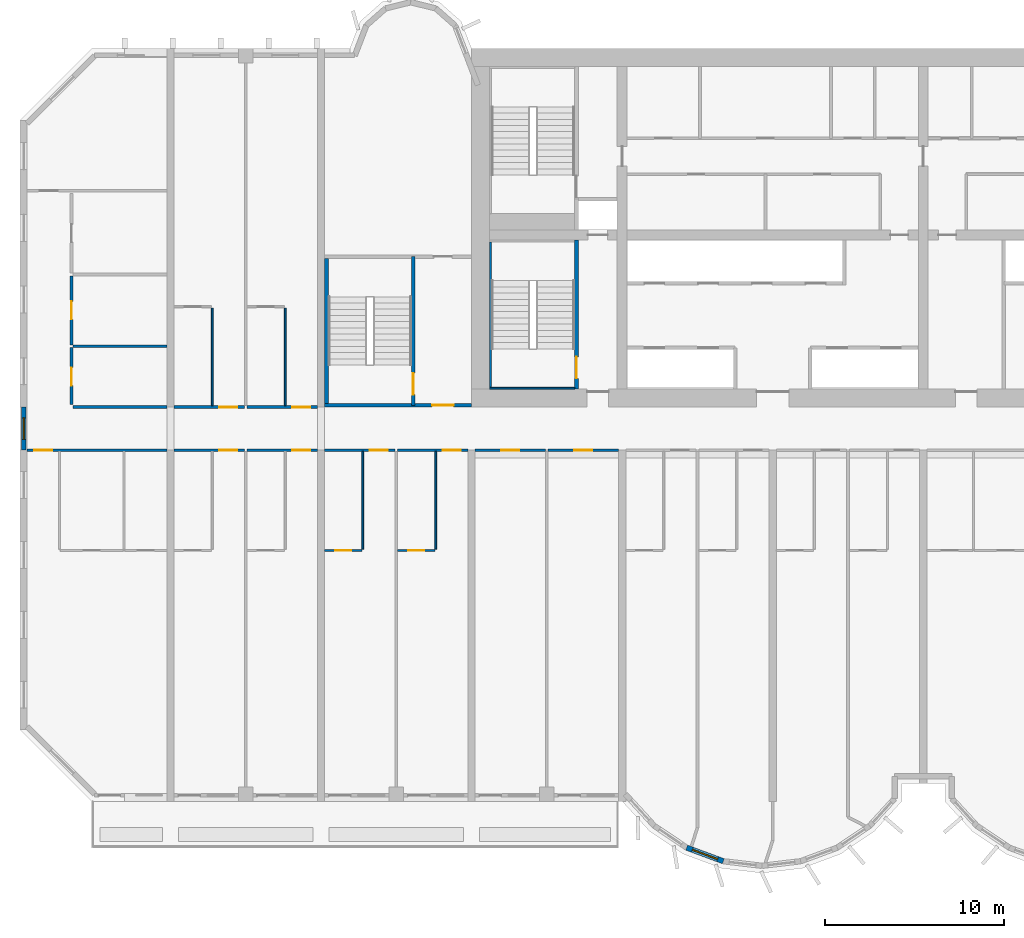
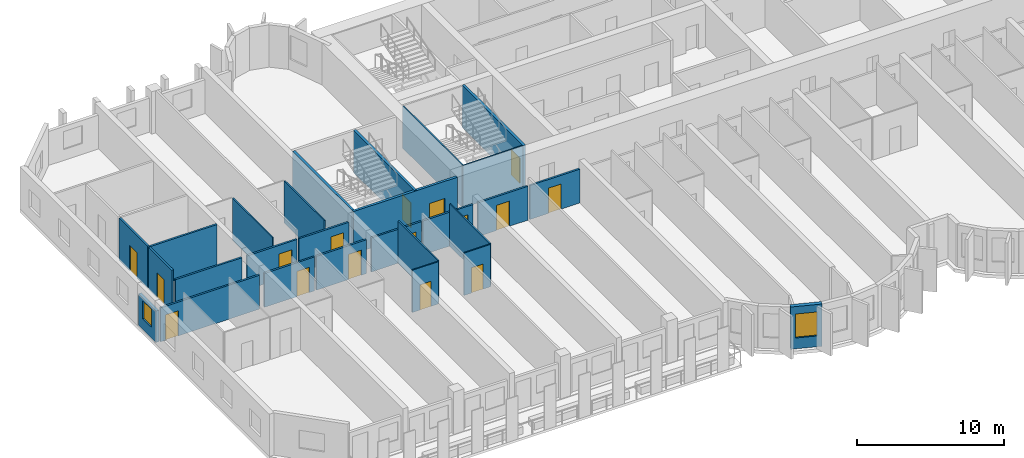
# One storey, part 3 of 14: 27 walls, 16 doors, 2 windows, 18 openings.
"""IFC4 building model written with IfcOpenShell, lengths in metres."""

from ifc_helpers import new_model, si_unit, direction, frame, frame_2d, origin, place, context, subcontext, project, spatial, rectangle, extrude, source, transform, mapped, material, layer, layer_set, type_object, element, fill, save


model = new_model("IFC4")

# Units and contexts
model_context = context("Model", 3, precision=1e-05, world=origin(), true_north=direction((0.0, 1.0)))
body_context = subcontext(model_context, "Body", "Model", "MODEL_VIEW")
ifc_project = project(units=[si_unit("LENGTHUNIT", "METRE"), si_unit("AREAUNIT", "SQUARE_METRE"), si_unit("VOLUMEUNIT", "CUBIC_METRE"), si_unit("PLANEANGLEUNIT", "RADIAN"), si_unit("MASSUNIT", "GRAM", prefix="KILO")], contexts=[model_context])

# Site, building, storey
site_placement = place(None, origin())
site = spatial("IfcSite", under=ifc_project, at=site_placement, CompositionType="ELEMENT")
building_placement = place(site_placement, origin())
building = spatial("IfcBuilding", under=site, at=building_placement, Name="Vanashikhar Sky Hotel", CompositionType="ELEMENT")
storey_placement = place(building_placement, frame((0.0, 0.0, 73.39990234375)))
storey = spatial("IfcBuildingStorey", under=building, at=storey_placement, Name="L17", CompositionType="ELEMENT", Elevation=73.39990234375)

# Wall, opening, window
ifc_material_1 = material(Name="Concrete M50", Category="concrete")
ifc_layer_1 = layer(ifc_material_1, 0.300048828125)
ifc_layer_set_1 = layer_set([ifc_layer_1], Name="Lobe wall 300")
wall_type_1 = type_object("IfcWallType", Name="Lobe wall 300", PredefinedType="SOLIDWALL", material=ifc_layer_set_1)
shared_shape_1 = source(origin(), body_context, "Body", "SweptSolid", [
    extrude(rectangle(XDim=2.17578125, YDim=0.300048828125, at=frame_2d((1.087890625, 0.0))), origin(), (0.0, 0.0, 1.0), 3.52001953125),
])
wall_1_placement = place(storey_placement, frame((37.20068359375, -2.58349609375, 0.0), z_axis=(0.0, 0.0, 1.0), x_axis=(0.93754555999, -0.347862505801, 0.0)))
wall_1 = element("IfcWall", 1, at=wall_1_placement, inside=storey, type_object=wall_type_1, Name="Lobe wall", PredefinedType="SOLIDWALL", context=body_context, shape_type="MappedRepresentation", body=[
    mapped(shared_shape_1, transform((0.0, 0.0, 0.0), scale=1.0)),
])
shared_shape_2 = source(origin(), body_context, "Body", "SweptSolid", [
    extrude(rectangle(XDim=1.5, YDim=2.0, at=frame_2d((0.75, 1.0))), frame((0.0, 0.16015625, 0.0), z_axis=(0.0, -1.0, 0.0), x_axis=(1.0, 0.0, 0.0)), (0.0, 0.0, 1.0), 0.320068359375),
])
opening_1_placement = place(wall_1_placement, frame((0.337890625, 0.0, 0.89990234375)))
opening_1 = element("IfcOpeningElement", 2, at=opening_1_placement, cuts=wall_1, Name="Opening WN-2", PredefinedType="OPENING", context=body_context, shape_type="MappedRepresentation", body=[
    mapped(shared_shape_2, transform((0.0, 0.0, 0.0), scale=1.0)),
])
ifc_material_2 = material(Name="Glass", Category="glass")
window_type_1 = type_object("IfcWindowType", Name="Lobe window 1500 x 2000", PartitioningType="SINGLE_PANEL", PredefinedType="WINDOW", material=ifc_material_2)
shared_shape_3 = source(origin(), body_context, "Body", "SweptSolid", [
    extrude(rectangle(XDim=1.5, YDim=2.0, at=frame_2d((0.75, 1.0))), frame((0.0, 0.030029296875, 0.0), z_axis=(0.0, -1.0, 0.0), x_axis=(1.0, 0.0, 0.0)), (0.0, 0.0, 1.0), 0.06005859375),
])
window_1_placement = place(opening_1_placement, origin())
window_1 = element("IfcWindow", 3, at=window_1_placement, inside=storey, type_object=window_type_1, Name="Window WN-2", OverallHeight=2.0, OverallWidth=1.5, PartitioningType="SINGLE_PANEL", PredefinedType="WINDOW", context=body_context, shape_type="MappedRepresentation", body=[
    mapped(shared_shape_3, transform((0.0, 0.0, 0.0), scale=1.0)),
])
fill(opening_1, window_1)

ifc_layer_2 = layer(ifc_material_1, 0.25)
ifc_layer_set_2 = layer_set([ifc_layer_2], Name="Rear and end board-marked wall 250")
wall_type_2 = type_object("IfcWallType", Name="Rear and end board-marked wall 250", PredefinedType="SOLIDWALL", material=ifc_layer_set_2)
shared_shape_4 = source(origin(), body_context, "Body", "SweptSolid", [
    extrude(rectangle(XDim=2.39990234375, YDim=0.25, at=frame_2d((1.199951171875, 0.0))), origin(), (0.0, 0.0, 1.0), 2.6201171875),
])
wall_2_placement = place(storey_placement, frame((0.199951171875, 19.60009765625, 0.0), z_axis=(0.0, 0.0, 1.0), x_axis=(0.0, 1.0, 0.0)))
wall_2 = element("IfcWall", 4, at=wall_2_placement, inside=storey, type_object=wall_type_2, Name="End corridor infill wall", PredefinedType="SOLIDWALL", context=body_context, shape_type="MappedRepresentation", body=[
    mapped(shared_shape_4, transform((0.0, 0.0, 0.0), scale=1.0)),
])
shared_shape_5 = source(origin(), body_context, "Body", "SweptSolid", [
    extrude(rectangle(XDim=1.199951171875, YDim=1.5, at=frame_2d((0.60009765625, 0.75))), frame((0.0, 0.135009765625, 0.0), z_axis=(0.0, -1.0, 0.0), x_axis=(1.0, 0.0, 0.0)), (0.0, 0.0, 1.0), 0.27001953125),
])
opening_2_placement = place(wall_2_placement, frame((0.60009765625, 0.0, 0.89990234375)))
opening_2 = element("IfcOpeningElement", 5, at=opening_2_placement, cuts=wall_2, Name="Opening WN-3", PredefinedType="OPENING", context=body_context, shape_type="MappedRepresentation", body=[
    mapped(shared_shape_5, transform((0.0, 0.0, 0.0), scale=1.0)),
])
window_type_2 = type_object("IfcWindowType", Name="Corridor end window 1200 x 1500", PartitioningType="SINGLE_PANEL", PredefinedType="WINDOW", material=ifc_material_2)
shared_shape_6 = source(origin(), body_context, "Body", "SweptSolid", [
    extrude(rectangle(XDim=1.199951171875, YDim=1.5, at=frame_2d((0.60009765625, 0.75))), frame((0.0, 0.030029296875, 0.0), z_axis=(0.0, -1.0, 0.0), x_axis=(1.0, 0.0, 0.0)), (0.0, 0.0, 1.0), 0.06005859375),
])
window_2_placement = place(opening_2_placement, origin())
window_2 = element("IfcWindow", 6, at=window_2_placement, inside=storey, type_object=window_type_2, Name="Window WN-3", OverallHeight=1.5, OverallWidth=1.199951171875, PartitioningType="SINGLE_PANEL", PredefinedType="WINDOW", context=body_context, shape_type="MappedRepresentation", body=[
    mapped(shared_shape_6, transform((0.0, 0.0, 0.0), scale=1.0)),
])
fill(opening_2, window_2)

# Wall, opening, door
ifc_layer_3 = layer(ifc_material_1, 0.199951171875)
ifc_layer_set_3 = layer_set([ifc_layer_3], Name="Stair wall 200")
wall_type_3 = type_object("IfcWallType", Name="Stair wall 200", PredefinedType="SOLIDWALL", material=ifc_layer_set_3)
shared_shape_7 = source(origin(), body_context, "Body", "SweptSolid", [
    extrude(rectangle(XDim=8.199951171875, YDim=0.199951171875, at=frame_2d((4.10009765625, 0.0))), origin(), (0.0, 0.0, 1.0), 3.52001953125),
])
wall_3_placement = place(storey_placement, frame((17.0, 22.10009765625, 0.0), z_axis=(0.0, 0.0, 1.0), x_axis=(1.0, 0.0, 0.0)))
wall_3 = element("IfcWall", 7, at=wall_3_placement, inside=storey, type_object=wall_type_3, Name="Stair wall 200", PredefinedType="SOLIDWALL", context=body_context, shape_type="MappedRepresentation", body=[
    mapped(shared_shape_7, transform((0.0, 0.0, 0.0), scale=1.0)),
])
shared_shape_8 = source(origin(), body_context, "Body", "SweptSolid", [
    extrude(rectangle(XDim=1.199951171875, YDim=2.10009765625, at=frame_2d((0.60009765625, 1.050048828125))), frame((0.0, 0.10986328125, 0.0), z_axis=(0.0, -1.0, 0.0), x_axis=(1.0, 0.0, 0.0)), (0.0, 0.0, 1.0), 0.219970703125),
])
opening_3_placement = place(wall_3_placement, frame((6.0, 0.0, 0.0)))
opening_3 = element("IfcOpeningElement", 8, at=opening_3_placement, cuts=wall_3, Name="Opening DC-2", PredefinedType="OPENING", context=body_context, shape_type="MappedRepresentation", body=[
    mapped(shared_shape_8, transform((0.0, 0.0, 0.0), scale=1.0)),
])
ifc_material_3 = material(Name="Steel", Category="steel")
door_type_1 = type_object("IfcDoorType", Name="Firefighting lobby door 1200 FD120", OperationType="NOTDEFINED", PredefinedType="DOOR", material=ifc_material_3)
shared_shape_9 = source(origin(), body_context, "Body", "SweptSolid", [
    extrude(rectangle(XDim=1.199951171875, YDim=2.10009765625, at=frame_2d((0.60009765625, 1.050048828125))), frame((0.0, 0.02490234375, 0.0), z_axis=(0.0, -1.0, 0.0), x_axis=(1.0, 0.0, 0.0)), (0.0, 0.0, 1.0), 0.050048828125),
])
door_1_placement = place(opening_3_placement, origin())
door_1 = element("IfcDoor", 9, at=door_1_placement, inside=storey, type_object=door_type_1, Name="Firefighting lobby door 1200 FD120", OperationType="SINGLE_SWING_RIGHT", OverallHeight=2.10009765625, OverallWidth=1.199951171875, PredefinedType="DOOR", context=body_context, shape_type="MappedRepresentation", body=[
    mapped(shared_shape_9, transform((0.0, 0.0, 0.0), scale=1.0)),
])
fill(opening_3, door_1)

shared_shape_10 = source(origin(), body_context, "Body", "SweptSolid", [
    extrude(rectangle(XDim=8.2998046875, YDim=0.199951171875, at=frame_2d((4.14990234375, 0.0))), origin(), (0.0, 0.0, 1.0), 3.52001953125),
])
wall_4_placement = place(storey_placement, frame((21.949951171875, 22.10009765625, 0.0), z_axis=(0.0, 0.0, 1.0), x_axis=(0.0, 1.0, 0.0)))
wall_4 = element("IfcWall", 10, at=wall_4_placement, inside=storey, type_object=wall_type_3, Name="Stair wall 200", PredefinedType="SOLIDWALL", context=body_context, shape_type="MappedRepresentation", body=[
    mapped(shared_shape_10, transform((0.0, 0.0, 0.0), scale=1.0)),
])
opening_4_placement = place(wall_4_placement, frame((0.60009765625, 0.0, 0.0)))
opening_4 = element("IfcOpeningElement", 11, at=opening_4_placement, cuts=wall_4, Name="Opening DC-1", PredefinedType="OPENING", context=body_context, shape_type="MappedRepresentation", body=[
    mapped(shared_shape_8, transform((0.0, 0.0, 0.0), scale=1.0)),
])
door_type_2 = type_object("IfcDoorType", Name="Stair door 1200 FD120", OperationType="NOTDEFINED", PredefinedType="DOOR", material=ifc_material_3)
door_2_placement = place(opening_4_placement, origin())
door_2 = element("IfcDoor", 12, at=door_2_placement, inside=storey, type_object=door_type_2, Name="Stair door 1200 FD120", OperationType="SINGLE_SWING_LEFT", OverallHeight=2.10009765625, OverallWidth=1.199951171875, PredefinedType="DOOR", context=body_context, shape_type="MappedRepresentation", body=[
    mapped(shared_shape_9, transform((0.0, 0.0, 0.0), scale=1.0)),
])
fill(opening_4, door_2)

# Walls
ifc_layer_4 = layer(ifc_material_1, 0.10009765625)
ifc_layer_set_4 = layer_set([ifc_layer_4], Name="Stair infill wall 100")
wall_type_4 = type_object("IfcWallType", Name="Stair infill wall 100", PredefinedType="SOLIDWALL", material=ifc_layer_set_4)
shared_shape_11 = source(origin(), body_context, "Body", "SweptSolid", [
    extrude(rectangle(XDim=4.75, YDim=0.10009765625, at=frame_2d((2.375, 0.0))), origin(), (0.0, 0.0, 1.0), 3.52001953125),
])
wall_5_placement = place(storey_placement, frame((26.199951171875, 23.050048828125, 0.0), z_axis=(0.0, 0.0, 1.0), x_axis=(1.0, 0.0, 0.0)))
element("IfcWall", 13, at=wall_5_placement, inside=storey, type_object=wall_type_4, Name="Stair infill wall 100", PredefinedType="SOLIDWALL", context=body_context, shape_type="MappedRepresentation", body=[
    mapped(shared_shape_11, transform((0.0, 0.0, 0.0), scale=1.0)),
])
shared_shape_12 = source(origin(), body_context, "Body", "SweptSolid", [
    extrude(rectangle(XDim=8.099853515625, YDim=0.10009765625, at=frame_2d((4.0498046875, 0.0))), origin(), (0.0, 0.0, 1.0), 3.52001953125),
])
wall_6_placement = place(storey_placement, frame((26.25, 23.10009765625, 0.0), z_axis=(0.0, 0.0, 1.0), x_axis=(0.0, 1.0, 0.0)))
element("IfcWall", 14, at=wall_6_placement, inside=storey, type_object=wall_type_4, Name="Stair infill wall 100", PredefinedType="SOLIDWALL", context=body_context, shape_type="MappedRepresentation", body=[
    mapped(shared_shape_12, transform((0.0, 0.0, 0.0), scale=1.0)),
])

# Wall, opening, door
shared_shape_13 = source(origin(), body_context, "Body", "SweptSolid", [
    extrude(rectangle(XDim=8.324951171875, YDim=0.199951171875, at=frame_2d((4.16259765625, 0.0))), origin(), (0.0, 0.0, 1.0), 3.52001953125),
])
wall_7_placement = place(storey_placement, frame((31.050048828125, 23.0, 0.0), z_axis=(0.0, 0.0, 1.0), x_axis=(0.0, 1.0, 0.0)))
wall_7 = element("IfcWall", 15, at=wall_7_placement, inside=storey, type_object=wall_type_3, Name="Stair wall 200", PredefinedType="SOLIDWALL", context=body_context, shape_type="MappedRepresentation", body=[
    mapped(shared_shape_13, transform((0.0, 0.0, 0.0), scale=1.0)),
])
opening_5_placement = place(wall_7_placement, frame((0.60009765625, 0.0, 0.0)))
opening_5 = element("IfcOpeningElement", 16, at=opening_5_placement, cuts=wall_7, Name="Opening DC-1", PredefinedType="OPENING", context=body_context, shape_type="MappedRepresentation", body=[
    mapped(shared_shape_8, transform((0.0, 0.0, 0.0), scale=1.0)),
])
door_3_placement = place(opening_5_placement, origin())
door_3 = element("IfcDoor", 17, at=door_3_placement, inside=storey, type_object=door_type_2, Name="Stair door 1200 FD120", OperationType="SINGLE_SWING_RIGHT", OverallHeight=2.10009765625, OverallWidth=1.199951171875, PredefinedType="DOOR", context=body_context, shape_type="MappedRepresentation", body=[
    mapped(shared_shape_9, transform((0.0, 0.0, 0.0), scale=1.0)),
])
fill(opening_5, door_3)

# Wall
ifc_layer_5 = layer(ifc_material_1, 0.199951171875)
ifc_layer_set_5 = layer_set([ifc_layer_5], Name="Stair infill wall 200")
wall_type_5 = type_object("IfcWallType", Name="Stair infill wall 200", PredefinedType="SOLIDWALL", material=ifc_layer_set_5)
shared_shape_14 = source(origin(), body_context, "Body", "SweptSolid", [
    extrude(rectangle(XDim=8.10009765625, YDim=0.199951171875, at=frame_2d((4.050048828125, 0.0))), origin(), (0.0, 0.0, 1.0), 3.52001953125),
])
wall_8_placement = place(storey_placement, frame((17.10009765625, 22.199951171875, 0.0), z_axis=(0.0, 0.0, 1.0), x_axis=(0.0, 1.0, 0.0)))
element("IfcWall", 18, at=wall_8_placement, inside=storey, type_object=wall_type_5, Name="Stair infill wall 200", PredefinedType="SOLIDWALL", context=body_context, shape_type="MappedRepresentation", body=[
    mapped(shared_shape_14, transform((0.0, 0.0, 0.0), scale=1.0)),
])

# Wall, opening, door
ifc_material_4 = material(Name="Gypsum plasterboard partition")
ifc_layer_6 = layer(ifc_material_4, 0.14990234375)
ifc_layer_set_6 = layer_set([ifc_layer_6], Name="Corridor and demising partition 150")
wall_type_6 = type_object("IfcWallType", Name="Corridor and demising partition 150", PredefinedType="PARTITIONING", material=ifc_layer_set_6)
shared_shape_15 = source(origin(), body_context, "Body", "SweptSolid", [
    extrude(rectangle(XDim=3.175048828125, YDim=0.14990234375, at=frame_2d((1.58740234375, 0.0))), origin(), (0.0, 0.0, 1.0), 3.52001953125),
])
wall_9_placement = place(storey_placement, frame((2.875, 22.14990234375, 0.0), z_axis=(0.0, 0.0, 1.0), x_axis=(0.0, 1.0, 0.0)))
wall_9 = element("IfcWall", 19, at=wall_9_placement, inside=storey, type_object=wall_type_6, Name="W-L17-PW072", PredefinedType="PARTITIONING", context=body_context, shape_type="MappedRepresentation", body=[
    mapped(shared_shape_15, transform((0.0, 0.0, 0.0), scale=1.0)),
])
shared_shape_16 = source(origin(), body_context, "Body", "SweptSolid", [
    extrude(rectangle(XDim=1.0, YDim=2.10009765625, at=frame_2d((0.5, 1.050048828125))), frame((0.0, 0.0849609375, 0.0), z_axis=(0.0, -1.0, 0.0), x_axis=(1.0, 0.0, 0.0)), (0.0, 0.0, 1.0), 0.169921875),
])
opening_6_placement = place(wall_9_placement, frame((1.050048828125, 0.0, 0.0)))
opening_6 = element("IfcOpeningElement", 20, at=opening_6_placement, cuts=wall_9, Name="Opening D-01", PredefinedType="OPENING", context=body_context, shape_type="MappedRepresentation", body=[
    mapped(shared_shape_16, transform((0.0, 0.0, 0.0), scale=1.0)),
])
ifc_material_5 = material(Name="Timber fire door", Category="wood")
door_type_3 = type_object("IfcDoorType", Name="Guest entry door 1000 FD30S", OperationType="NOTDEFINED", PredefinedType="DOOR", material=ifc_material_5)
shared_shape_17 = source(origin(), body_context, "Body", "SweptSolid", [
    extrude(rectangle(XDim=1.0, YDim=2.10009765625, at=frame_2d((0.5, 1.050048828125))), frame((0.0, 0.02490234375, 0.0), z_axis=(0.0, -1.0, 0.0), x_axis=(1.0, 0.0, 0.0)), (0.0, 0.0, 1.0), 0.050048828125),
])
door_4_placement = place(opening_6_placement, origin())
door_4 = element("IfcDoor", 21, at=door_4_placement, inside=storey, type_object=door_type_3, Name="D-L17-041", OperationType="SINGLE_SWING_LEFT", OverallHeight=2.10009765625, OverallWidth=1.0, PredefinedType="DOOR", context=body_context, shape_type="MappedRepresentation", body=[
    mapped(shared_shape_17, transform((0.0, 0.0, 0.0), scale=1.0)),
])
fill(opening_6, door_4)

shared_shape_18 = source(origin(), body_context, "Body", "SweptSolid", [
    extrude(rectangle(XDim=3.849853515625, YDim=0.14990234375, at=frame_2d((1.9248046875, 0.0))), origin(), (0.0, 0.0, 1.0), 3.52001953125),
])
wall_10_placement = place(storey_placement, frame((2.875, 25.47509765625, 0.0), z_axis=(0.0, 0.0, 1.0), x_axis=(0.0, 1.0, 0.0)))
wall_10 = element("IfcWall", 22, at=wall_10_placement, inside=storey, type_object=wall_type_6, Name="W-L17-PW074", PredefinedType="PARTITIONING", context=body_context, shape_type="MappedRepresentation", body=[
    mapped(shared_shape_18, transform((0.0, 0.0, 0.0), scale=1.0)),
])
opening_7_placement = place(wall_10_placement, frame((1.425048828125, 0.0, 0.0)))
opening_7 = element("IfcOpeningElement", 23, at=opening_7_placement, cuts=wall_10, Name="Opening D-01", PredefinedType="OPENING", context=body_context, shape_type="MappedRepresentation", body=[
    mapped(shared_shape_16, transform((0.0, 0.0, 0.0), scale=1.0)),
])
door_5_placement = place(opening_7_placement, origin())
door_5 = element("IfcDoor", 24, at=door_5_placement, inside=storey, type_object=door_type_3, Name="D-L17-042", OperationType="SINGLE_SWING_LEFT", OverallHeight=2.10009765625, OverallWidth=1.0, PredefinedType="DOOR", context=body_context, shape_type="MappedRepresentation", body=[
    mapped(shared_shape_17, transform((0.0, 0.0, 0.0), scale=1.0)),
])
fill(opening_7, door_5)

shared_shape_19 = source(origin(), body_context, "Body", "SweptSolid", [
    extrude(rectangle(XDim=7.800048828125, YDim=0.14990234375, at=frame_2d((3.89990234375, 0.0))), origin(), (0.0, 0.0, 1.0), 2.820068359375),
])
wall_11_placement = place(storey_placement, frame((0.39990234375, 19.60009765625, 0.0), z_axis=(0.0, 0.0, 1.0), x_axis=(1.0, 0.0, 0.0)))
wall_11 = element("IfcWall", 25, at=wall_11_placement, inside=storey, type_object=wall_type_6, Name="W-L17-PW005", PredefinedType="PARTITIONING", context=body_context, shape_type="MappedRepresentation", body=[
    mapped(shared_shape_19, transform((0.0, 0.0, 0.0), scale=1.0)),
])
opening_8_placement = place(wall_11_placement, frame((0.39990234375, 0.0, 0.0)))
opening_8 = element("IfcOpeningElement", 26, at=opening_8_placement, cuts=wall_11, Name="Opening D-01", PredefinedType="OPENING", context=body_context, shape_type="MappedRepresentation", body=[
    mapped(shared_shape_16, transform((0.0, 0.0, 0.0), scale=1.0)),
])
door_6_placement = place(opening_8_placement, origin())
door_6 = element("IfcDoor", 27, at=door_6_placement, inside=storey, type_object=door_type_3, Name="D-L17-003", OperationType="SINGLE_SWING_LEFT", OverallHeight=2.10009765625, OverallWidth=1.0, PredefinedType="DOOR", context=body_context, shape_type="MappedRepresentation", body=[
    mapped(shared_shape_17, transform((0.0, 0.0, 0.0), scale=1.0)),
])
fill(opening_8, door_6)

ifc_layer_7 = layer(ifc_material_4, 0.10009765625)
ifc_layer_set_7 = layer_set([ifc_layer_7], Name="Wet room partition 100")
wall_type_7 = type_object("IfcWallType", Name="Wet room partition 100", PredefinedType="PARTITIONING", material=ifc_layer_set_7)
shared_shape_20 = source(origin(), body_context, "Body", "SweptSolid", [
    extrude(rectangle(XDim=2.074951171875, YDim=0.10009765625, at=frame_2d((1.03759765625, 0.0))), origin(), (0.0, 0.0, 1.0), 3.52001953125),
])
wall_12_placement = place(storey_placement, frame((17.0, 14.0, 0.0), z_axis=(0.0, 0.0, 1.0), x_axis=(1.0, 0.0, 0.0)))
wall_12 = element("IfcWall", 28, at=wall_12_placement, inside=storey, type_object=wall_type_7, Name="W-L17-PW014", PredefinedType="PARTITIONING", context=body_context, shape_type="MappedRepresentation", body=[
    mapped(shared_shape_20, transform((0.0, 0.0, 0.0), scale=1.0)),
])
shared_shape_21 = source(origin(), body_context, "Body", "SweptSolid", [
    extrude(rectangle(XDim=0.89990234375, YDim=2.10009765625, at=frame_2d((0.449951171875, 1.050048828125))), frame((0.0, 0.06005859375, 0.0), z_axis=(0.0, -1.0, 0.0), x_axis=(1.0, 0.0, 0.0)), (0.0, 0.0, 1.0), 0.1201171875),
])
opening_9_placement = place(wall_12_placement, frame((0.587890625, 0.0, 0.0)))
opening_9 = element("IfcOpeningElement", 29, at=opening_9_placement, cuts=wall_12, Name="Opening D-02", PredefinedType="OPENING", context=body_context, shape_type="MappedRepresentation", body=[
    mapped(shared_shape_21, transform((0.0, 0.0, 0.0), scale=1.0)),
])
ifc_material_6 = material(Name="Timber door", Category="wood")
door_type_4 = type_object("IfcDoorType", Name="Internal door 900", OperationType="NOTDEFINED", PredefinedType="DOOR", material=ifc_material_6)
shared_shape_22 = source(origin(), body_context, "Body", "SweptSolid", [
    extrude(rectangle(XDim=0.89990234375, YDim=2.10009765625, at=frame_2d((0.449951171875, 1.050048828125))), frame((0.0, 0.02490234375, 0.0), z_axis=(0.0, -1.0, 0.0), x_axis=(1.0, 0.0, 0.0)), (0.0, 0.0, 1.0), 0.050048828125),
])
door_7_placement = place(opening_9_placement, origin())
door_7 = element("IfcDoor", 30, at=door_7_placement, inside=storey, type_object=door_type_4, Name="D-L17-008", OperationType="SINGLE_SWING_RIGHT", OverallHeight=2.10009765625, OverallWidth=0.89990234375, PredefinedType="DOOR", context=body_context, shape_type="MappedRepresentation", body=[
    mapped(shared_shape_22, transform((0.0, 0.0, 0.0), scale=1.0)),
])
fill(opening_9, door_7)

wall_13_placement = place(storey_placement, frame((21.074951171875, 14.0, 0.0), z_axis=(0.0, 0.0, 1.0), x_axis=(1.0, 0.0, 0.0)))
wall_13 = element("IfcWall", 31, at=wall_13_placement, inside=storey, type_object=wall_type_7, Name="W-L17-PW017", PredefinedType="PARTITIONING", context=body_context, shape_type="MappedRepresentation", body=[
    mapped(shared_shape_20, transform((0.0, 0.0, 0.0), scale=1.0)),
])
opening_10_placement = place(wall_13_placement, frame((0.5869140625, 0.0, 0.0)))
opening_10 = element("IfcOpeningElement", 32, at=opening_10_placement, cuts=wall_13, Name="Opening D-02", PredefinedType="OPENING", context=body_context, shape_type="MappedRepresentation", body=[
    mapped(shared_shape_21, transform((0.0, 0.0, 0.0), scale=1.0)),
])
door_8_placement = place(opening_10_placement, origin())
door_8 = element("IfcDoor", 33, at=door_8_placement, inside=storey, type_object=door_type_4, Name="D-L17-010", OperationType="SINGLE_SWING_RIGHT", OverallHeight=2.10009765625, OverallWidth=0.89990234375, PredefinedType="DOOR", context=body_context, shape_type="MappedRepresentation", body=[
    mapped(shared_shape_22, transform((0.0, 0.0, 0.0), scale=1.0)),
])
fill(opening_10, door_8)

shared_shape_23 = source(origin(), body_context, "Body", "SweptSolid", [
    extrude(rectangle(XDim=3.9248046875, YDim=0.14990234375, at=frame_2d((1.96240234375, 0.0))), origin(), (0.0, 0.0, 1.0), 2.820068359375),
])
wall_14_placement = place(storey_placement, frame((8.60009765625, 19.60009765625, 0.0), z_axis=(0.0, 0.0, 1.0), x_axis=(1.0, 0.0, 0.0)))
wall_14 = element("IfcWall", 34, at=wall_14_placement, inside=storey, type_object=wall_type_6, Name="W-L17-PW008", PredefinedType="PARTITIONING", context=body_context, shape_type="MappedRepresentation", body=[
    mapped(shared_shape_23, transform((0.0, 0.0, 0.0), scale=1.0)),
])
opening_11_placement = place(wall_14_placement, frame((2.52490234375, 0.0, 0.0)))
opening_11 = element("IfcOpeningElement", 35, at=opening_11_placement, cuts=wall_14, Name="Opening D-01", PredefinedType="OPENING", context=body_context, shape_type="MappedRepresentation", body=[
    mapped(shared_shape_16, transform((0.0, 0.0, 0.0), scale=1.0)),
])
door_9_placement = place(opening_11_placement, origin())
door_9 = element("IfcDoor", 36, at=door_9_placement, inside=storey, type_object=door_type_3, Name="D-L17-005", OperationType="SINGLE_SWING_RIGHT", OverallHeight=2.10009765625, OverallWidth=1.0, PredefinedType="DOOR", context=body_context, shape_type="MappedRepresentation", body=[
    mapped(shared_shape_17, transform((0.0, 0.0, 0.0), scale=1.0)),
])
fill(opening_11, door_9)

wall_15_placement = place(storey_placement, frame((29.47509765625, 19.60009765625, 0.0), z_axis=(0.0, 0.0, 1.0), x_axis=(1.0, 0.0, 0.0)))
wall_15 = element("IfcWall", 37, at=wall_15_placement, inside=storey, type_object=wall_type_6, Name="W-L17-PW021", PredefinedType="PARTITIONING", context=body_context, shape_type="MappedRepresentation", body=[
    mapped(shared_shape_23, transform((0.0, 0.0, 0.0), scale=1.0)),
])
opening_12_placement = place(wall_15_placement, frame((1.4619140625, 0.0, 0.0)))
opening_12 = element("IfcOpeningElement", 38, at=opening_12_placement, cuts=wall_15, Name="Opening D-01", PredefinedType="OPENING", context=body_context, shape_type="MappedRepresentation", body=[
    mapped(shared_shape_16, transform((0.0, 0.0, 0.0), scale=1.0)),
])
door_10_placement = place(opening_12_placement, origin())
door_10 = element("IfcDoor", 39, at=door_10_placement, inside=storey, type_object=door_type_3, Name="D-L17-013", OperationType="SINGLE_SWING_RIGHT", OverallHeight=2.10009765625, OverallWidth=1.0, PredefinedType="DOOR", context=body_context, shape_type="MappedRepresentation", body=[
    mapped(shared_shape_17, transform((0.0, 0.0, 0.0), scale=1.0)),
])
fill(opening_12, door_10)

wall_16_placement = place(storey_placement, frame((8.60009765625, 22.0, 0.0), z_axis=(0.0, 0.0, 1.0), x_axis=(1.0, 0.0, 0.0)))
wall_16 = element("IfcWall", 40, at=wall_16_placement, inside=storey, type_object=wall_type_6, Name="W-L17-PW080", PredefinedType="PARTITIONING", context=body_context, shape_type="MappedRepresentation", body=[
    mapped(shared_shape_23, transform((0.0, 0.0, 0.0), scale=1.0)),
])
opening_13_placement = place(wall_16_placement, frame((2.52490234375, 0.0, 0.0)))
opening_13 = element("IfcOpeningElement", 41, at=opening_13_placement, cuts=wall_16, Name="Opening D-01", PredefinedType="OPENING", context=body_context, shape_type="MappedRepresentation", body=[
    mapped(shared_shape_16, transform((0.0, 0.0, 0.0), scale=1.0)),
])
door_11_placement = place(opening_13_placement, origin())
door_11 = element("IfcDoor", 42, at=door_11_placement, inside=storey, type_object=door_type_3, Name="D-L17-046", OperationType="SINGLE_SWING_RIGHT", OverallHeight=2.10009765625, OverallWidth=1.0, PredefinedType="DOOR", context=body_context, shape_type="MappedRepresentation", body=[
    mapped(shared_shape_17, transform((0.0, 0.0, 0.0), scale=1.0)),
])
fill(opening_13, door_11)

shared_shape_24 = source(origin(), body_context, "Body", "SweptSolid", [
    extrude(rectangle(XDim=3.925048828125, YDim=0.14990234375, at=frame_2d((1.96240234375, 0.0))), origin(), (0.0, 0.0, 1.0), 2.820068359375),
])
wall_17_placement = place(storey_placement, frame((12.675048828125, 19.60009765625, 0.0), z_axis=(0.0, 0.0, 1.0), x_axis=(1.0, 0.0, 0.0)))
wall_17 = element("IfcWall", 43, at=wall_17_placement, inside=storey, type_object=wall_type_6, Name="W-L17-PW011", PredefinedType="PARTITIONING", context=body_context, shape_type="MappedRepresentation", body=[
    mapped(shared_shape_24, transform((0.0, 0.0, 0.0), scale=1.0)),
])
opening_14_placement = place(wall_17_placement, frame((2.52490234375, 0.0, 0.0)))
opening_14 = element("IfcOpeningElement", 44, at=opening_14_placement, cuts=wall_17, Name="Opening D-01", PredefinedType="OPENING", context=body_context, shape_type="MappedRepresentation", body=[
    mapped(shared_shape_16, transform((0.0, 0.0, 0.0), scale=1.0)),
])
door_12_placement = place(opening_14_placement, origin())
door_12 = element("IfcDoor", 45, at=door_12_placement, inside=storey, type_object=door_type_3, Name="D-L17-007", OperationType="SINGLE_SWING_RIGHT", OverallHeight=2.10009765625, OverallWidth=1.0, PredefinedType="DOOR", context=body_context, shape_type="MappedRepresentation", body=[
    mapped(shared_shape_17, transform((0.0, 0.0, 0.0), scale=1.0)),
])
fill(opening_14, door_12)

wall_18_placement = place(storey_placement, frame((17.0, 19.60009765625, 0.0), z_axis=(0.0, 0.0, 1.0), x_axis=(1.0, 0.0, 0.0)))
wall_18 = element("IfcWall", 46, at=wall_18_placement, inside=storey, type_object=wall_type_6, Name="W-L17-PW015", PredefinedType="PARTITIONING", context=body_context, shape_type="MappedRepresentation", body=[
    mapped(shared_shape_24, transform((0.0, 0.0, 0.0), scale=1.0)),
])
opening_15_placement = place(wall_18_placement, frame((2.52490234375, 0.0, 0.0)))
opening_15 = element("IfcOpeningElement", 47, at=opening_15_placement, cuts=wall_18, Name="Opening D-01", PredefinedType="OPENING", context=body_context, shape_type="MappedRepresentation", body=[
    mapped(shared_shape_16, transform((0.0, 0.0, 0.0), scale=1.0)),
])
door_13_placement = place(opening_15_placement, origin())
door_13 = element("IfcDoor", 48, at=door_13_placement, inside=storey, type_object=door_type_3, Name="D-L17-009", OperationType="SINGLE_SWING_RIGHT", OverallHeight=2.10009765625, OverallWidth=1.0, PredefinedType="DOOR", context=body_context, shape_type="MappedRepresentation", body=[
    mapped(shared_shape_17, transform((0.0, 0.0, 0.0), scale=1.0)),
])
fill(opening_15, door_13)

wall_19_placement = place(storey_placement, frame((21.074951171875, 19.60009765625, 0.0), z_axis=(0.0, 0.0, 1.0), x_axis=(1.0, 0.0, 0.0)))
wall_19 = element("IfcWall", 49, at=wall_19_placement, inside=storey, type_object=wall_type_6, Name="W-L17-PW018", PredefinedType="PARTITIONING", context=body_context, shape_type="MappedRepresentation", body=[
    mapped(shared_shape_24, transform((0.0, 0.0, 0.0), scale=1.0)),
])
opening_16_placement = place(wall_19_placement, frame((2.52490234375, 0.0, 0.0)))
opening_16 = element("IfcOpeningElement", 50, at=opening_16_placement, cuts=wall_19, Name="Opening D-01", PredefinedType="OPENING", context=body_context, shape_type="MappedRepresentation", body=[
    mapped(shared_shape_16, transform((0.0, 0.0, 0.0), scale=1.0)),
])
door_14_placement = place(opening_16_placement, origin())
door_14 = element("IfcDoor", 51, at=door_14_placement, inside=storey, type_object=door_type_3, Name="D-L17-011", OperationType="SINGLE_SWING_RIGHT", OverallHeight=2.10009765625, OverallWidth=1.0, PredefinedType="DOOR", context=body_context, shape_type="MappedRepresentation", body=[
    mapped(shared_shape_17, transform((0.0, 0.0, 0.0), scale=1.0)),
])
fill(opening_16, door_14)

wall_20_placement = place(storey_placement, frame((25.39990234375, 19.60009765625, 0.0), z_axis=(0.0, 0.0, 1.0), x_axis=(1.0, 0.0, 0.0)))
wall_20 = element("IfcWall", 52, at=wall_20_placement, inside=storey, type_object=wall_type_6, Name="W-L17-PW020", PredefinedType="PARTITIONING", context=body_context, shape_type="MappedRepresentation", body=[
    mapped(shared_shape_24, transform((0.0, 0.0, 0.0), scale=1.0)),
])
opening_17_placement = place(wall_20_placement, frame((1.4619140625, 0.0, 0.0)))
opening_17 = element("IfcOpeningElement", 53, at=opening_17_placement, cuts=wall_20, Name="Opening D-01", PredefinedType="OPENING", context=body_context, shape_type="MappedRepresentation", body=[
    mapped(shared_shape_16, transform((0.0, 0.0, 0.0), scale=1.0)),
])
door_15_placement = place(opening_17_placement, origin())
door_15 = element("IfcDoor", 54, at=door_15_placement, inside=storey, type_object=door_type_3, Name="D-L17-012", OperationType="SINGLE_SWING_LEFT", OverallHeight=2.10009765625, OverallWidth=1.0, PredefinedType="DOOR", context=body_context, shape_type="MappedRepresentation", body=[
    mapped(shared_shape_17, transform((0.0, 0.0, 0.0), scale=1.0)),
])
fill(opening_17, door_15)

wall_21_placement = place(storey_placement, frame((12.675048828125, 22.0, 0.0), z_axis=(0.0, 0.0, 1.0), x_axis=(1.0, 0.0, 0.0)))
wall_21 = element("IfcWall", 55, at=wall_21_placement, inside=storey, type_object=wall_type_6, Name="W-L17-PW083", PredefinedType="PARTITIONING", context=body_context, shape_type="MappedRepresentation", body=[
    mapped(shared_shape_24, transform((0.0, 0.0, 0.0), scale=1.0)),
])
opening_18_placement = place(wall_21_placement, frame((2.52490234375, 0.0, 0.0)))
opening_18 = element("IfcOpeningElement", 56, at=opening_18_placement, cuts=wall_21, Name="Opening D-01", PredefinedType="OPENING", context=body_context, shape_type="MappedRepresentation", body=[
    mapped(shared_shape_16, transform((0.0, 0.0, 0.0), scale=1.0)),
])
door_16_placement = place(opening_18_placement, origin())
door_16 = element("IfcDoor", 57, at=door_16_placement, inside=storey, type_object=door_type_3, Name="D-L17-048", OperationType="SINGLE_SWING_RIGHT", OverallHeight=2.10009765625, OverallWidth=1.0, PredefinedType="DOOR", context=body_context, shape_type="MappedRepresentation", body=[
    mapped(shared_shape_17, transform((0.0, 0.0, 0.0), scale=1.0)),
])
fill(opening_18, door_16)

# Walls
shared_shape_25 = source(origin(), body_context, "Body", "SweptSolid", [
    extrude(rectangle(XDim=5.25, YDim=0.14990234375, at=frame_2d((2.625, 0.0))), origin(), (0.0, 0.0, 1.0), 2.820068359375),
])
wall_22_placement = place(storey_placement, frame((2.949951171875, 22.0, 0.0), z_axis=(0.0, 0.0, 1.0), x_axis=(1.0, 0.0, 0.0)))
element("IfcWall", 58, at=wall_22_placement, inside=storey, type_object=wall_type_6, Name="W-L17-PW071", PredefinedType="PARTITIONING", context=body_context, shape_type="MappedRepresentation", body=[
    mapped(shared_shape_25, transform((0.0, 0.0, 0.0), scale=1.0)),
])
shared_shape_26 = source(origin(), body_context, "Body", "SweptSolid", [
    extrude(rectangle(XDim=5.25, YDim=0.14990234375, at=frame_2d((2.625, 0.0))), origin(), (0.0, 0.0, 1.0), 3.52001953125),
])
wall_23_placement = place(storey_placement, frame((2.949951171875, 25.39990234375, 0.0), z_axis=(0.0, 0.0, 1.0), x_axis=(1.0, 0.0, 0.0)))
element("IfcWall", 59, at=wall_23_placement, inside=storey, type_object=wall_type_6, Name="W-L17-PW073", PredefinedType="PARTITIONING", context=body_context, shape_type="MappedRepresentation", body=[
    mapped(shared_shape_26, transform((0.0, 0.0, 0.0), scale=1.0)),
])
shared_shape_27 = source(origin(), body_context, "Body", "SweptSolid", [
    extrude(rectangle(XDim=5.449951171875, YDim=0.10009765625, at=frame_2d((2.72509765625, 0.0))), origin(), (0.0, 0.0, 1.0), 3.52001953125),
])
for number, where, z_axis, x_axis, name in (
    (60, (19.125, 14.074951171875, 0.0), (0.0, 0.0, 1.0), (0.0, 1.0, 0.0), "W-L17-PW013"),
    (61, (23.199951171875, 14.074951171875, 0.0), (0.0, 0.0, 1.0), (0.0, 1.0, 0.0), "W-L17-PW016"),
    (62, (10.72509765625, 22.074951171875, 0.0), (0.0, 0.0, 1.0), (0.0, 1.0, 0.0), "W-L17-PW078"),
    (63, (14.800048828125, 22.074951171875, 0.0), (0.0, 0.0, 1.0), (0.0, 1.0, 0.0), "W-L17-PW081"),
):
    element("IfcWall", number, at=place(storey_placement, frame(where, z_axis=z_axis, x_axis=x_axis)), inside=storey, type_object=wall_type_7, Name=name, PredefinedType="PARTITIONING", context=body_context, shape_type="MappedRepresentation", body=[
        mapped(shared_shape_27, transform((0.0, 0.0, 0.0), scale=1.0)),
    ])

save(model, "model.ifc")
